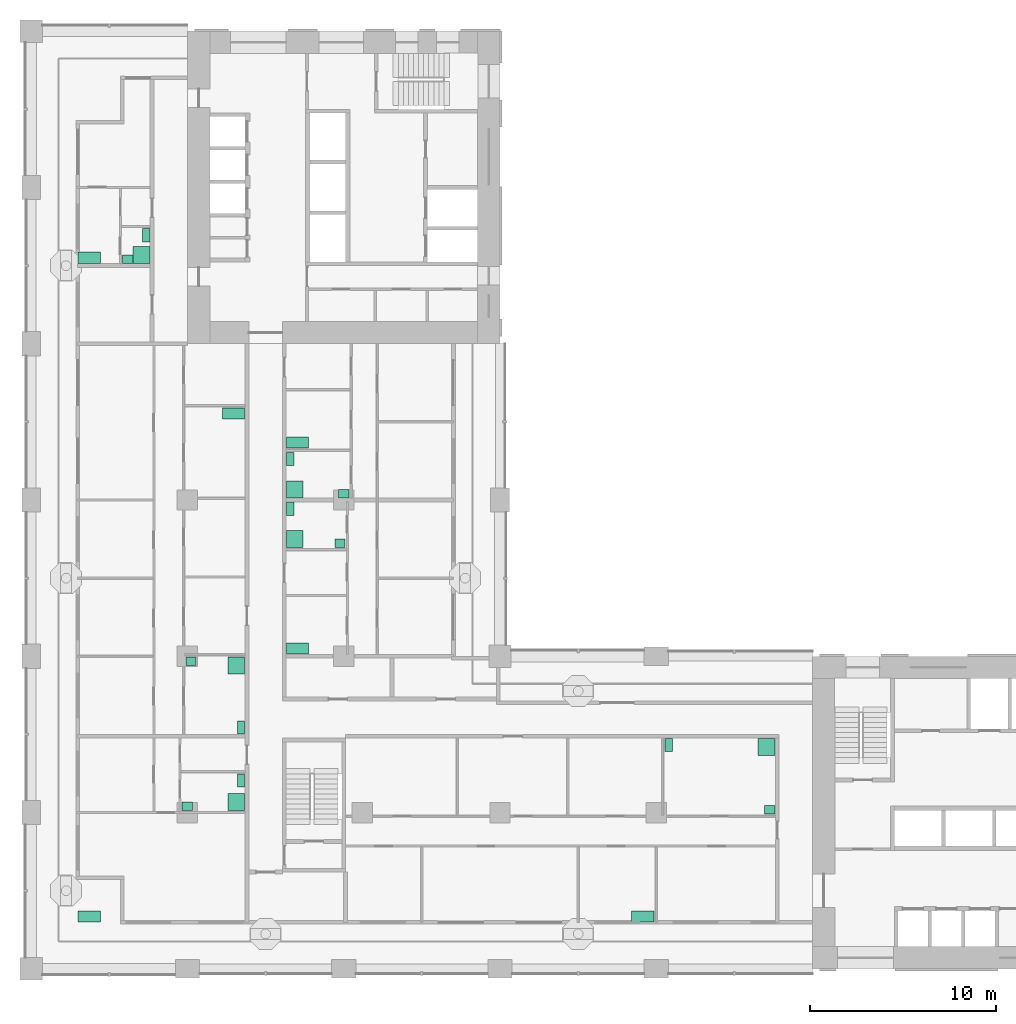
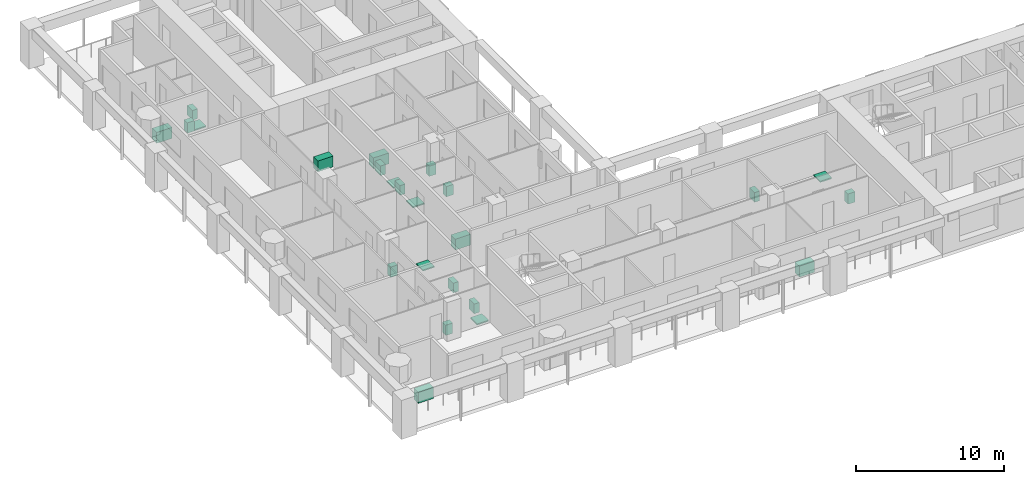
# One storey, part 16 of 18: 24 sanitary terminals.
"""IFC4 building model written with IfcOpenShell, lengths in metres."""

from ifc_helpers import new_model, si_unit, direction, frame, origin, origin_2d, place, context, subcontext, project, spatial, rectangle, extrude, material, element, save


model = new_model("IFC4")

# Units and contexts
model_context = context("Model", 3, precision=1e-05, world=origin(), true_north=direction((0.0, 1.0)))
body_context = subcontext(model_context, "Body", "Model", "MODEL_VIEW")
ifc_project = project(units=[si_unit("LENGTHUNIT", "METRE"), si_unit("AREAUNIT", "SQUARE_METRE"), si_unit("VOLUMEUNIT", "CUBIC_METRE"), si_unit("PLANEANGLEUNIT", "RADIAN"), si_unit("MASSUNIT", "GRAM", prefix="KILO")], contexts=[model_context])

# Site, building, storey
site_placement = place(None, origin())
site = spatial("IfcSite", under=ifc_project, at=site_placement, CompositionType="ELEMENT")
building_placement = place(site_placement, origin())
building = spatial("IfcBuilding", under=site, at=building_placement, Name="Vermilion Gate Residences", CompositionType="ELEMENT")
storey_placement = place(building_placement, frame((0.0, 0.0, 88.199951171875)))
storey = spatial("IfcBuildingStorey", under=building, at=storey_placement, Name="L21", CompositionType="ELEMENT", Elevation=88.199951171875)

# Sanitary terminals
ifc_material_1 = material(Name="Stainless steel", Category="steel")
sanitary_terminal_1_placement = place(storey_placement, frame((3.1201171875, 11.219970703125, 0.0), z_axis=(0.0, 0.0, 1.0), x_axis=(1.0, 0.0, 0.0)))
element("IfcSanitaryTerminal", 1, at=sanitary_terminal_1_placement, inside=storey, material=ifc_material_1, Name="Kitchen sink", PredefinedType="SINK", context=body_context, shape_type="SweptSolid", body=[
    extrude(rectangle(XDim=1.199951171875, YDim=0.60009765625, at=origin_2d()), origin(), (0.0, 0.0, 1.0), 0.89990234375),
])
ifc_material_2 = material(Name="Vitreous china")
sanitary_terminal_2_placement = place(storey_placement, frame((11.030029296875, 17.3701171875, 0.0), z_axis=(0.0, 0.0, 1.0), x_axis=(1.0, 0.0, 0.0)))
element("IfcSanitaryTerminal", 2, at=sanitary_terminal_2_placement, inside=storey, material=ifc_material_2, Name="Shower tray", PredefinedType="SHOWER", context=body_context, shape_type="SweptSolid", body=[
    extrude(rectangle(XDim=0.89990234375, YDim=0.89990234375, at=origin_2d()), origin(), (0.0, 0.0, 1.0), 0.10009765625),
])
sanitary_terminal_3_placement = place(storey_placement, frame((11.280029296875, 18.530029296875, 0.0), z_axis=(0.0, 0.0, 1.0), x_axis=(1.0, 0.0, 0.0)))
element("IfcSanitaryTerminal", 3, at=sanitary_terminal_3_placement, inside=storey, material=ifc_material_2, Name="Toilet", PredefinedType="TOILETPAN", context=body_context, shape_type="SweptSolid", body=[
    extrude(rectangle(XDim=0.39990234375, YDim=0.699951171875, at=origin_2d()), origin(), (0.0, 0.0, 1.0), 0.800048828125),
])
sanitary_terminal_4_placement = place(storey_placement, frame((8.39501953125, 17.14501953125, 0.0), z_axis=(0.0, 0.0, 1.0), x_axis=(1.0, 0.0, 0.0)))
element("IfcSanitaryTerminal", 4, at=sanitary_terminal_4_placement, inside=storey, material=ifc_material_2, Name="Wash basin", PredefinedType="WASHHANDBASIN", context=body_context, shape_type="SweptSolid", body=[
    extrude(rectangle(XDim=0.550048828125, YDim=0.449951171875, at=origin_2d()), origin(), (0.0, 0.0, 1.0), 0.85009765625),
])
sanitary_terminal_5_placement = place(storey_placement, frame((32.8798828125, 11.219970703125, 0.0), z_axis=(0.0, 0.0, 1.0), x_axis=(1.0, 0.0, 0.0)))
element("IfcSanitaryTerminal", 5, at=sanitary_terminal_5_placement, inside=storey, material=ifc_material_1, Name="Kitchen sink", PredefinedType="SINK", context=body_context, shape_type="SweptSolid", body=[
    extrude(rectangle(XDim=1.199951171875, YDim=0.60009765625, at=origin_2d()), origin(), (0.0, 0.0, 1.0), 0.89990234375),
])
sanitary_terminal_6_placement = place(storey_placement, frame((39.530029296875, 20.330078125, 0.0), z_axis=(0.0, 0.0, 1.0), x_axis=(1.0, 0.0, 0.0)))
element("IfcSanitaryTerminal", 6, at=sanitary_terminal_6_placement, inside=storey, material=ifc_material_2, Name="Shower tray", PredefinedType="SHOWER", context=body_context, shape_type="SweptSolid", body=[
    extrude(rectangle(XDim=0.89990234375, YDim=0.89990234375, at=origin_2d()), origin(), (0.0, 0.0, 1.0), 0.10009765625),
])
sanitary_terminal_7_placement = place(storey_placement, frame((34.27001953125, 20.429931640625, 0.0), z_axis=(0.0, 0.0, 1.0), x_axis=(1.0, 0.0, 0.0)))
element("IfcSanitaryTerminal", 7, at=sanitary_terminal_7_placement, inside=storey, material=ifc_material_2, Name="Toilet", PredefinedType="TOILETPAN", context=body_context, shape_type="SweptSolid", body=[
    extrude(rectangle(XDim=0.39990234375, YDim=0.699951171875, at=origin_2d()), origin(), (0.0, 0.0, 1.0), 0.800048828125),
])
sanitary_terminal_8_placement = place(storey_placement, frame((39.705078125, 16.945068359375, 0.0), z_axis=(0.0, 0.0, 1.0), x_axis=(1.0, 0.0, 0.0)))
element("IfcSanitaryTerminal", 8, at=sanitary_terminal_8_placement, inside=storey, material=ifc_material_2, Name="Wash basin", PredefinedType="WASHHANDBASIN", context=body_context, shape_type="SweptSolid", body=[
    extrude(rectangle(XDim=0.550048828125, YDim=0.449951171875, at=origin_2d()), origin(), (0.0, 0.0, 1.0), 0.85009765625),
])
sanitary_terminal_9_placement = place(storey_placement, frame((11.030029296875, 24.7099609375, 0.0), z_axis=(0.0, 0.0, 1.0), x_axis=(1.0, 0.0, 0.0)))
element("IfcSanitaryTerminal", 9, at=sanitary_terminal_9_placement, inside=storey, material=ifc_material_2, Name="Shower tray", PredefinedType="SHOWER", context=body_context, shape_type="SweptSolid", body=[
    extrude(rectangle(XDim=0.89990234375, YDim=0.89990234375, at=origin_2d()), origin(), (0.0, 0.0, 1.0), 0.10009765625),
])
sanitary_terminal_10_placement = place(storey_placement, frame((11.280029296875, 21.3701171875, 0.0), z_axis=(0.0, 0.0, 1.0), x_axis=(1.0, 0.0, 0.0)))
element("IfcSanitaryTerminal", 10, at=sanitary_terminal_10_placement, inside=storey, material=ifc_material_2, Name="Toilet", PredefinedType="TOILETPAN", context=body_context, shape_type="SweptSolid", body=[
    extrude(rectangle(XDim=0.39990234375, YDim=0.699951171875, at=origin_2d()), origin(), (0.0, 0.0, 1.0), 0.800048828125),
])
sanitary_terminal_11_placement = place(storey_placement, frame((8.594970703125, 24.93505859375, 0.0), z_axis=(0.0, 0.0, 1.0), x_axis=(1.0, 0.0, 0.0)))
element("IfcSanitaryTerminal", 11, at=sanitary_terminal_11_placement, inside=storey, material=ifc_material_2, Name="Wash basin", PredefinedType="WASHHANDBASIN", context=body_context, shape_type="SweptSolid", body=[
    extrude(rectangle(XDim=0.550048828125, YDim=0.449951171875, at=origin_2d()), origin(), (0.0, 0.0, 1.0), 0.85009765625),
])
for number, where, z_axis, x_axis, name in (
    (12, (10.8798828125, 38.25, 0.0), (0.0, 0.0, 1.0), (1.0, 0.0, 0.0), "Kitchen sink"),
    (13, (14.320068359375, 25.6201171875, 0.0), (0.0, 0.0, 1.0), (1.0, 0.0, 0.0), "Kitchen sink"),
):
    element("IfcSanitaryTerminal", number, at=place(storey_placement, frame(where, z_axis=z_axis, x_axis=x_axis)), inside=storey, material=ifc_material_1, Name=name, PredefinedType="SINK", context=body_context, shape_type="SweptSolid", body=[
        extrude(rectangle(XDim=1.199951171875, YDim=0.60009765625, at=origin_2d()), origin(), (0.0, 0.0, 1.0), 0.89990234375),
    ])
sanitary_terminal_12_placement = place(storey_placement, frame((14.169921875, 31.5029296875, 0.0), z_axis=(0.0, 0.0, 1.0), x_axis=(1.0, 0.0, 0.0)))
element("IfcSanitaryTerminal", 14, at=sanitary_terminal_12_placement, inside=storey, material=ifc_material_2, Name="Shower tray", PredefinedType="SHOWER", context=body_context, shape_type="SweptSolid", body=[
    extrude(rectangle(XDim=0.89990234375, YDim=0.89990234375, at=origin_2d()), origin(), (0.0, 0.0, 1.0), 0.10009765625),
])
sanitary_terminal_13_placement = place(storey_placement, frame((13.919921875, 33.1298828125, 0.0), z_axis=(0.0, 0.0, 1.0), x_axis=(1.0, 0.0, 0.0)))
element("IfcSanitaryTerminal", 15, at=sanitary_terminal_13_placement, inside=storey, material=ifc_material_2, Name="Toilet", PredefinedType="TOILETPAN", context=body_context, shape_type="SweptSolid", body=[
    extrude(rectangle(XDim=0.39990234375, YDim=0.699951171875, at=origin_2d()), origin(), (0.0, 0.0, 1.0), 0.800048828125),
])
sanitary_terminal_14_placement = place(storey_placement, frame((16.60498046875, 31.278076171875, 0.0), z_axis=(0.0, 0.0, 1.0), x_axis=(1.0, 0.0, 0.0)))
element("IfcSanitaryTerminal", 16, at=sanitary_terminal_14_placement, inside=storey, material=ifc_material_2, Name="Wash basin", PredefinedType="WASHHANDBASIN", context=body_context, shape_type="SweptSolid", body=[
    extrude(rectangle(XDim=0.550048828125, YDim=0.449951171875, at=origin_2d()), origin(), (0.0, 0.0, 1.0), 0.85009765625),
])
sanitary_terminal_15_placement = place(storey_placement, frame((14.169921875, 34.169921875, 0.0), z_axis=(0.0, 0.0, 1.0), x_axis=(1.0, 0.0, 0.0)))
element("IfcSanitaryTerminal", 17, at=sanitary_terminal_15_placement, inside=storey, material=ifc_material_2, Name="Shower tray", PredefinedType="SHOWER", context=body_context, shape_type="SweptSolid", body=[
    extrude(rectangle(XDim=0.89990234375, YDim=0.89990234375, at=origin_2d()), origin(), (0.0, 0.0, 1.0), 0.10009765625),
])
sanitary_terminal_16_placement = place(storey_placement, frame((13.919921875, 35.797119140625, 0.0), z_axis=(0.0, 0.0, 1.0), x_axis=(1.0, 0.0, 0.0)))
element("IfcSanitaryTerminal", 18, at=sanitary_terminal_16_placement, inside=storey, material=ifc_material_2, Name="Toilet", PredefinedType="TOILETPAN", context=body_context, shape_type="SweptSolid", body=[
    extrude(rectangle(XDim=0.39990234375, YDim=0.699951171875, at=origin_2d()), origin(), (0.0, 0.0, 1.0), 0.800048828125),
])
sanitary_terminal_17_placement = place(storey_placement, frame((16.804931640625, 33.945068359375, 0.0), z_axis=(0.0, 0.0, 1.0), x_axis=(1.0, 0.0, 0.0)))
element("IfcSanitaryTerminal", 19, at=sanitary_terminal_17_placement, inside=storey, material=ifc_material_2, Name="Wash basin", PredefinedType="WASHHANDBASIN", context=body_context, shape_type="SweptSolid", body=[
    extrude(rectangle(XDim=0.550048828125, YDim=0.449951171875, at=origin_2d()), origin(), (0.0, 0.0, 1.0), 0.85009765625),
])
for number, where, z_axis, x_axis, name in (
    (20, (14.320068359375, 36.68701171875, 0.0), (0.0, 0.0, 1.0), (1.0, 0.0, 0.0), "Kitchen sink"),
    (21, (3.1201171875, 46.6201171875, 0.0), (0.0, 0.0, 1.0), (1.0, 0.0, 0.0), "Kitchen sink"),
):
    element("IfcSanitaryTerminal", number, at=place(storey_placement, frame(where, z_axis=z_axis, x_axis=x_axis)), inside=storey, material=ifc_material_1, Name=name, PredefinedType="SINK", context=body_context, shape_type="SweptSolid", body=[
        extrude(rectangle(XDim=1.199951171875, YDim=0.60009765625, at=origin_2d()), origin(), (0.0, 0.0, 1.0), 0.89990234375),
    ])
sanitary_terminal_18_placement = place(storey_placement, frame((5.929931640625, 46.77001953125, 0.0), z_axis=(0.0, 0.0, 1.0), x_axis=(1.0, 0.0, 0.0)))
element("IfcSanitaryTerminal", 22, at=sanitary_terminal_18_placement, inside=storey, material=ifc_material_2, Name="Shower tray", PredefinedType="SHOWER", context=body_context, shape_type="SweptSolid", body=[
    extrude(rectangle(XDim=0.89990234375, YDim=0.89990234375, at=origin_2d()), origin(), (0.0, 0.0, 1.0), 0.10009765625),
])
sanitary_terminal_19_placement = place(storey_placement, frame((6.179931640625, 47.830078125, 0.0), z_axis=(0.0, 0.0, 1.0), x_axis=(1.0, 0.0, 0.0)))
element("IfcSanitaryTerminal", 23, at=sanitary_terminal_19_placement, inside=storey, material=ifc_material_2, Name="Toilet", PredefinedType="TOILETPAN", context=body_context, shape_type="SweptSolid", body=[
    extrude(rectangle(XDim=0.39990234375, YDim=0.699951171875, at=origin_2d()), origin(), (0.0, 0.0, 1.0), 0.800048828125),
])
sanitary_terminal_20_placement = place(storey_placement, frame((5.195068359375, 46.544921875, 0.0), z_axis=(0.0, 0.0, 1.0), x_axis=(1.0, 0.0, 0.0)))
element("IfcSanitaryTerminal", 24, at=sanitary_terminal_20_placement, inside=storey, material=ifc_material_2, Name="Wash basin", PredefinedType="WASHHANDBASIN", context=body_context, shape_type="SweptSolid", body=[
    extrude(rectangle(XDim=0.550048828125, YDim=0.449951171875, at=origin_2d()), origin(), (0.0, 0.0, 1.0), 0.85009765625),
])

save(model, "model.ifc")
